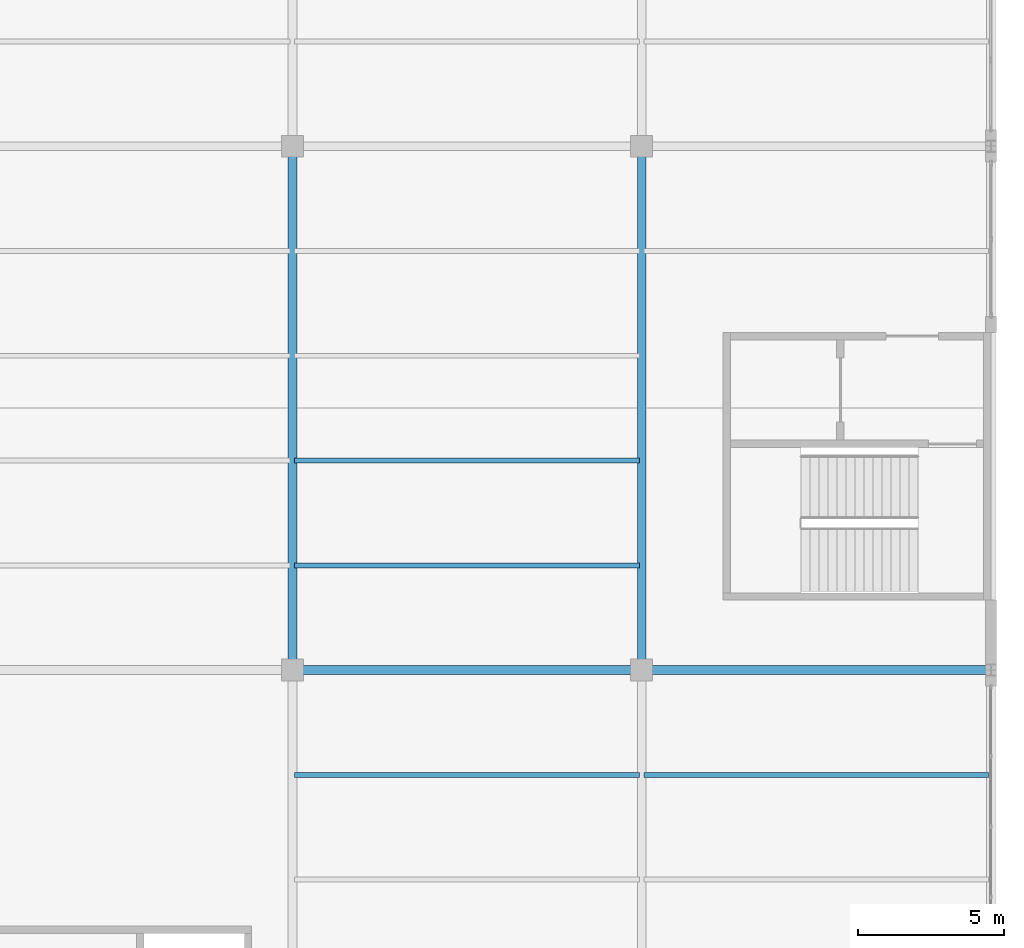
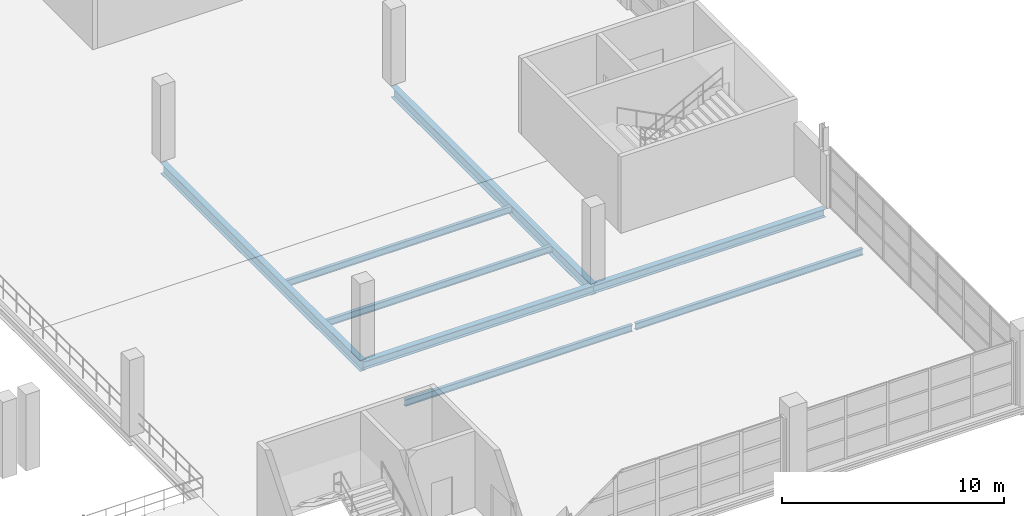
# One storey, part 110 of 158: 8 beams.
"""IFC4 building model written with IfcOpenShell, lengths in metres."""

from ifc_helpers import new_model, si_unit, direction, frame, origin, origin_2d, place, context, subcontext, project, spatial, i_section, extrude, material, material_profile, profile_set, type_object, element, save


model = new_model("IFC4")

# Units and contexts
model_context = context("Model", 3, precision=1e-05, world=origin(), true_north=direction((0.0, 1.0)))
body_context = subcontext(model_context, "Body", "Model", "MODEL_VIEW")
ifc_project = project(units=[si_unit("LENGTHUNIT", "METRE"), si_unit("AREAUNIT", "SQUARE_METRE"), si_unit("VOLUMEUNIT", "CUBIC_METRE"), si_unit("PLANEANGLEUNIT", "RADIAN"), si_unit("MASSUNIT", "GRAM", prefix="KILO")], contexts=[model_context])

# Site, building, storey
site_placement = place(None, origin())
site = spatial("IfcSite", under=ifc_project, at=site_placement, CompositionType="ELEMENT")
building_placement = place(site_placement, origin())
building = spatial("IfcBuilding", under=site, at=building_placement, Name="Zilviju Railside Exhibition Hall", CompositionType="ELEMENT")
storey_placement = place(building_placement, frame((0.0, 0.0, 4.199951171875)))
storey = spatial("IfcBuildingStorey", under=building, at=storey_placement, Name="L02", CompositionType="ELEMENT", Elevation=4.199951171875)

# Beams
ifc_material = material(Name="Steel S355J2", Category="steel")
ifc_material_profile_1 = material_profile(ifc_material, i_section(OverallWidth=0.300048828125, OverallDepth=0.449951171875, WebThickness=0.013916015625, FlangeThickness=0.02587890625, at=origin_2d()), Name="HEB 450")
ifc_profile_set_1 = profile_set([ifc_material_profile_1], Name="Steel S355J2")
beam_type_1 = type_object("IfcBeamType", Name="BM-HEB450", PredefinedType="BEAM", material=ifc_profile_set_1)
for number, where, z_axis, x_axis, name in (
    (1, (192.0, 102.0, -0.554931640625), (1.0, 0.0, 0.0), (0.0, 1.0, 0.0), "Primary Girder L02 Y=102.0 (192.0..204.0)"),
    (2, (204.0, 102.0, -0.554931640625), (1.0, 0.0, 0.0), (0.0, 1.0, 0.0), "Primary Girder L02 Y=102.0 (204.0..216.0)"),
):
    element("IfcBeam", number, at=place(storey_placement, frame(where, z_axis=z_axis, x_axis=x_axis)), inside=storey, type_object=beam_type_1, Name=name, PredefinedType="BEAM", context=body_context, shape_type="SweptSolid", body=[
        extrude(i_section(OverallWidth=0.300048828125, OverallDepth=0.449951171875, WebThickness=0.013916015625, FlangeThickness=0.02587890625, at=origin_2d()), origin(), (0.0, 0.0, 1.0), 12.0),
    ])
ifc_material_profile_2 = material_profile(ifc_material, i_section(OverallWidth=0.300048828125, OverallDepth=0.60009765625, WebThickness=0.015380859375, FlangeThickness=0.030029296875, at=origin_2d()), Name="HEB 600")
ifc_profile_set_2 = profile_set([ifc_material_profile_2], Name="Steel S355J2")
beam_type_2 = type_object("IfcBeamType", Name="BM-HEB600", PredefinedType="BEAM", material=ifc_profile_set_2)
for number, where, z_axis, x_axis, name in (
    (3, (192.0, 102.0, -0.6298828125), (0.0, 1.0, 0.0), (-1.0, 0.0, 0.0), "Transverse Girder L02 X=192.0 (102.0..120.0)"),
    (4, (204.0, 102.0, -0.6298828125), (0.0, 1.0, 0.0), (-1.0, 0.0, 0.0), "Transverse Girder L02 X=204.0 (102.0..120.0)"),
):
    element("IfcBeam", number, at=place(storey_placement, frame(where, z_axis=z_axis, x_axis=x_axis)), inside=storey, type_object=beam_type_2, Name=name, PredefinedType="BEAM", context=body_context, shape_type="SweptSolid", body=[
        extrude(i_section(OverallWidth=0.300048828125, OverallDepth=0.60009765625, WebThickness=0.015380859375, FlangeThickness=0.030029296875, at=origin_2d()), origin(), (0.0, 0.0, 1.0), 18.0),
    ])
ifc_material_profile_3 = material_profile(ifc_material, i_section(OverallWidth=0.169921875, OverallDepth=0.360107421875, WebThickness=0.008056640625, FlangeThickness=0.0126953125, at=origin_2d()), Name="IPE 360")
ifc_profile_set_3 = profile_set([ifc_material_profile_3], Name="Steel S355J2")
beam_type_3 = type_object("IfcBeamType", Name="BM-IPE360", PredefinedType="JOIST", material=ifc_profile_set_3)
for number, where, z_axis, x_axis, name in (
    (5, (192.080078125, 98.39990234375, -0.510009765625), (1.0, 0.0, 0.0), (0.0, 1.0, 0.0), "Composite Floor Joist L02 Y=98.40 (192.0..204.0)"),
    (6, (192.080078125, 105.60009765625, -0.510009765625), (1.0, 0.0, 0.0), (0.0, 1.0, 0.0), "Composite Floor Joist L02 Y=105.60 (192.0..204.0)"),
    (7, (192.080078125, 109.199951171875, -0.510009765625), (1.0, 0.0, 0.0), (0.0, 1.0, 0.0), "Composite Floor Joist L02 Y=109.20 (192.0..204.0)"),
    (8, (204.080078125, 98.39990234375, -0.510009765625), (1.0, 0.0, 0.0), (0.0, 1.0, 0.0), "Composite Floor Joist L02 Y=98.40 (204.0..216.0)"),
):
    element("IfcBeam", number, at=place(storey_placement, frame(where, z_axis=z_axis, x_axis=x_axis)), inside=storey, type_object=beam_type_3, Name=name, PredefinedType="JOIST", context=body_context, shape_type="SweptSolid", body=[
        extrude(i_section(OverallWidth=0.169921875, OverallDepth=0.360107421875, WebThickness=0.008056640625, FlangeThickness=0.0126953125, at=origin_2d()), origin(), (0.0, 0.0, 1.0), 11.83984375),
    ])

save(model, "model.ifc")
